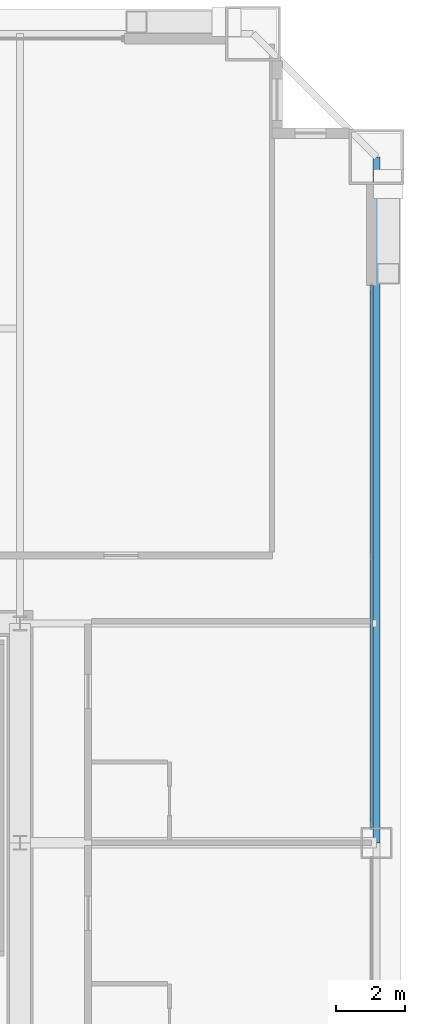
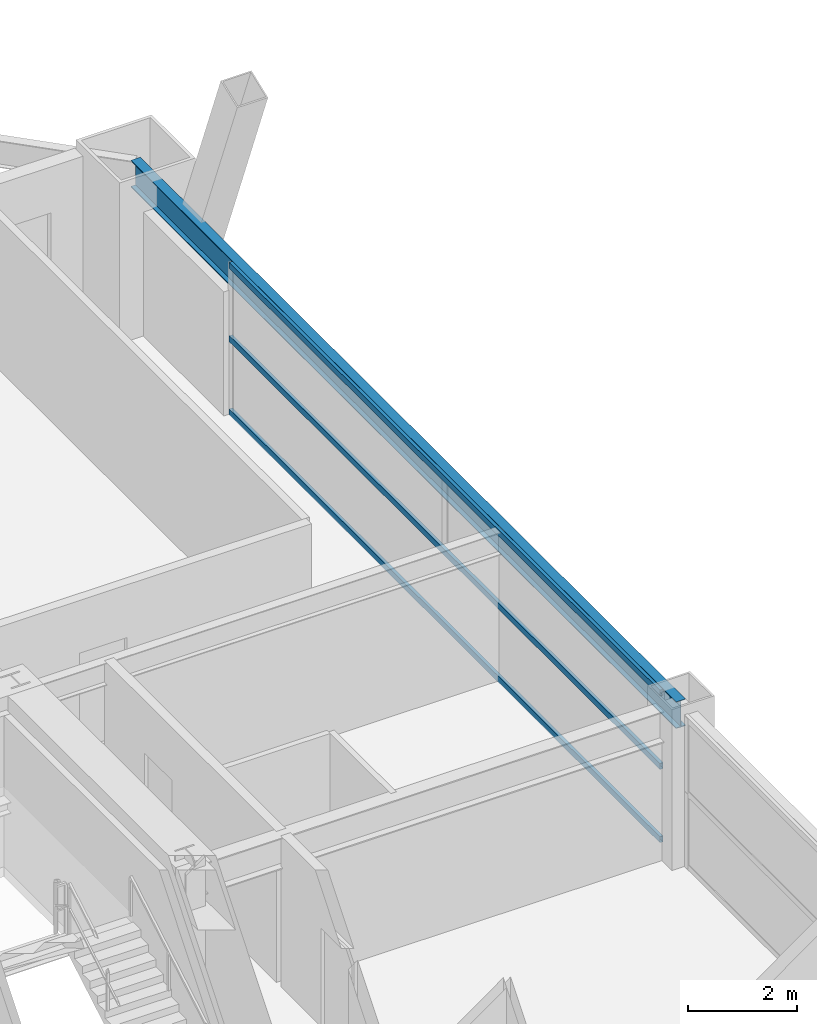
# One storey, part 31 of 41: 3 members, 1 beam, 1 element without a shape of its own.
"""IFC4 building model written with IfcOpenShell, lengths in metres."""

from ifc_helpers import new_model, si_unit, direction, frame, origin, origin_2d, place, context, subcontext, project, spatial, hollow_rectangle, i_section, extrude, source, transform, mapped, material, layer, layer_set, material_profile, profile_set, type_object, element, aggregate, save


model = new_model("IFC4")

# Units and contexts
model_context = context("Model", 3, precision=1e-05, world=origin(), true_north=direction((0.0, 1.0)))
body_context = subcontext(model_context, "Body", "Model", "MODEL_VIEW")
ifc_project = project(units=[si_unit("LENGTHUNIT", "METRE"), si_unit("AREAUNIT", "SQUARE_METRE"), si_unit("VOLUMEUNIT", "CUBIC_METRE"), si_unit("PLANEANGLEUNIT", "RADIAN"), si_unit("MASSUNIT", "GRAM", prefix="KILO"), si_unit("THERMODYNAMICTEMPERATUREUNIT", "KELVIN"), si_unit("POWERUNIT", "WATT")], contexts=[model_context])

# Site, building, storey
site_placement = place(None, origin())
site = spatial("IfcSite", under=ifc_project, at=site_placement, CompositionType="ELEMENT")
building_placement = place(site_placement, origin())
building = spatial("IfcBuilding", under=site, at=building_placement, Name="Yuzanri Waterfront Tower", CompositionType="ELEMENT")
storey_placement = place(building_placement, frame((0.0, 0.0, 115.39990234375)))
storey = spatial("IfcBuildingStorey", under=building, at=storey_placement, Name="L30", CompositionType="ELEMENT", Elevation=115.39990234375)

# Beam
ifc_material_1 = material(Name="Steel Q355B", Category="steel")
ifc_material_profile_1 = material_profile(ifc_material_1, i_section(OverallWidth=0.199951171875, OverallDepth=0.60009765625, WebThickness=0.010986328125, FlangeThickness=0.01708984375, at=origin_2d()), Name="HN 600x200x11x17")
ifc_profile_set_1 = profile_set([ifc_material_profile_1], Name="Steel Q355B")
beam_type = type_object("IfcBeamType", Name="Perimeter Spandrel Q355B HN 600x200", PredefinedType="SPANDREL", material=ifc_profile_set_1)
shared_shape_1 = source(origin(), body_context, "Body", "SweptSolid", [
    extrude(i_section(OverallWidth=0.199951171875, OverallDepth=0.60009765625, WebThickness=0.010986328125, FlangeThickness=0.01708984375, at=origin_2d()), origin(), (0.0, 0.0, 1.0), 20.0),
])
beam_placement = place(storey_placement, frame((60.60009765625, 25.800048828125, 3.080078125), z_axis=(0.0, 1.0, 0.0), x_axis=(-1.0, 0.0, 0.0)))
element("IfcBeam", 1, at=beam_placement, inside=storey, type_object=beam_type, Name="L30 Perimeter Spandrel E2-E3", PredefinedType="SPANDREL", context=body_context, shape_type="MappedRepresentation", body=[
    mapped(shared_shape_1, transform((0.0, 0.0, 0.0), scale=1.0)),
])

# Curtain wall, members
ifc_material_2 = material(Name="Anodized Architectural Bronze", Category="metal")
ifc_layer = layer(ifc_material_2, 0.159912109375)
ifc_layer_set = layer_set([ifc_layer], Name="Anodized Architectural Bronze")
curtain_wall_type = type_object("IfcCurtainWallType", Name="Anodized Bronze Hotel Upper-Tier Solar-Control Unitized Curtain Wall 7800", PredefinedType="NOTDEFINED", material=ifc_layer_set)
curtain_wall_placement = place(storey_placement, origin())
curtain_wall = element("IfcCurtainWall", 2, at=curtain_wall_placement, inside=storey, type_object=curtain_wall_type, Name="L30 Curtain Wall CW-L30-ER", PredefinedType="NOTDEFINED")
ifc_material_3 = material(Name="Anodized Architectural Bronze", Category="metal")
ifc_material_profile_2 = material_profile(ifc_material_3, hollow_rectangle(XDim=0.070068359375, YDim=0.135009765625, WallThickness=0.00341796875, at=origin_2d()), Name="CWT 70x135")
ifc_profile_set_2 = profile_set([ifc_material_profile_2], Name="Anodized Architectural Bronze")
member_type = type_object("IfcMemberType", Name="Anodized Bronze Standard Curtain-Wall Transom 70x135", PredefinedType="USERDEFINED", material=ifc_profile_set_2)
shared_shape_2 = source(origin(), body_context, "Body", "SweptSolid", [
    extrude(hollow_rectangle(XDim=0.070068359375, YDim=0.135009765625, WallThickness=0.00341796875, at=origin_2d()), origin(), (0.0, 0.0, 1.0), 15.800048828125),
])
member_1_placement = place(storey_placement, frame((60.449951171875, 26.25, 0.050048828125), z_axis=(0.0, 1.0, 0.0), x_axis=(-1.0, 0.0, 0.0)))
member_1 = element("IfcMember", 3, at=member_1_placement, type_object=member_type, Name="CW-L30-ER Transom 1", ObjectType="TRANSOM", PredefinedType="USERDEFINED", context=body_context, shape_type="MappedRepresentation", body=[
    mapped(shared_shape_2, transform((0.0, 0.0, 0.0), scale=1.0)),
])
member_2_placement = place(storey_placement, frame((60.449951171875, 26.25, 1.690185546875), z_axis=(0.0, 1.0, 0.0), x_axis=(-1.0, 0.0, 0.0)))
member_2 = element("IfcMember", 4, at=member_2_placement, type_object=member_type, Name="CW-L30-ER Transom 2", ObjectType="TRANSOM", PredefinedType="USERDEFINED", context=body_context, shape_type="MappedRepresentation", body=[
    mapped(shared_shape_2, transform((0.0, 0.0, 0.0), scale=1.0)),
])
member_3_placement = place(storey_placement, frame((60.449951171875, 26.25, 3.330078125), z_axis=(0.0, 1.0, 0.0), x_axis=(-1.0, 0.0, 0.0)))
member_3 = element("IfcMember", 5, at=member_3_placement, type_object=member_type, Name="CW-L30-ER Transom 3", ObjectType="TRANSOM", PredefinedType="USERDEFINED", context=body_context, shape_type="MappedRepresentation", body=[
    mapped(shared_shape_2, transform((0.0, 0.0, 0.0), scale=1.0)),
])
aggregate(curtain_wall, [member_1, member_2, member_3])

save(model, "model.ifc")
